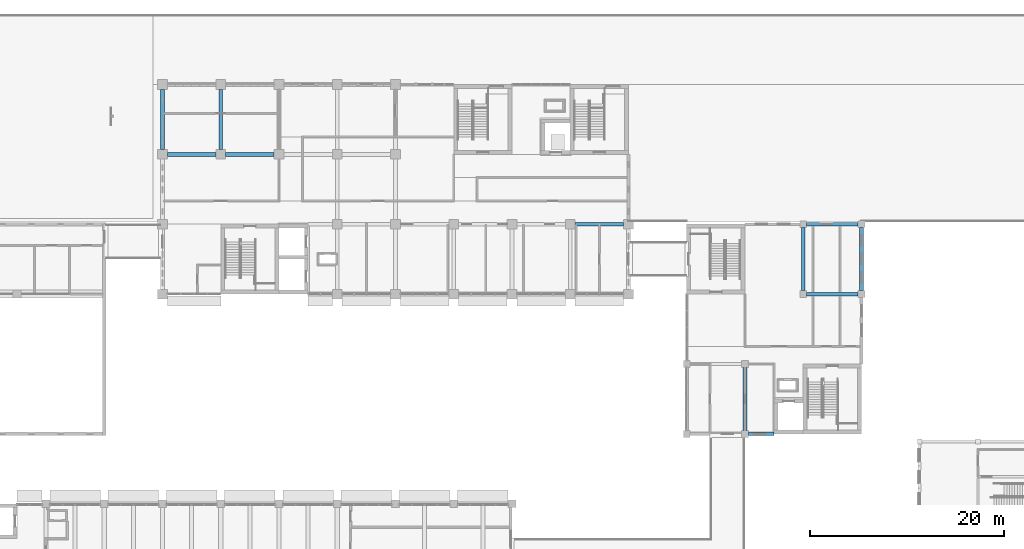
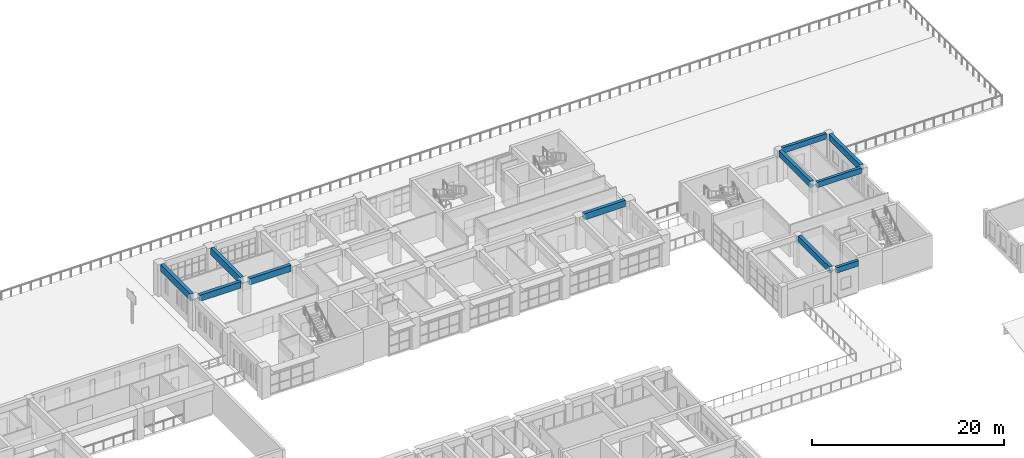
# One storey, part 52 of 101: 11 beams.
"""IFC4 building model written with IfcOpenShell, lengths in metres."""

from ifc_helpers import new_model, si_unit, direction, frame, origin, origin_2d, place, context, subcontext, project, spatial, rectangle, extrude, material, material_profile, profile_set, type_object, element, save


model = new_model("IFC4")

# Units and contexts
model_context = context("Model", 3, precision=1e-05, world=origin(), true_north=direction((0.0, 1.0)))
body_context = subcontext(model_context, "Body", "Model", "MODEL_VIEW")
ifc_project = project(units=[si_unit("LENGTHUNIT", "METRE"), si_unit("AREAUNIT", "SQUARE_METRE"), si_unit("VOLUMEUNIT", "CUBIC_METRE"), si_unit("PLANEANGLEUNIT", "RADIAN"), si_unit("MASSUNIT", "GRAM", prefix="KILO")], contexts=[model_context])

# Site, building, storey
site_placement = place(None, origin())
site = spatial("IfcSite", under=ifc_project, at=site_placement, CompositionType="ELEMENT")
building_placement = place(site_placement, origin())
building = spatial("IfcBuilding", under=site, at=building_placement, Name="Laocheng Heights Fire and Rescue Headquarters", CompositionType="ELEMENT")
storey_placement = place(building_placement, frame((0.0, 0.0, 8.39990234375)))
storey = spatial("IfcBuildingStorey", under=building, at=storey_placement, Name="L02", CompositionType="ELEMENT", Elevation=8.39990234375)

# Beams
ifc_material_1 = material(Name="Concrete C40", Category="concrete")
ifc_material_profile_1 = material_profile(ifc_material_1, rectangle(XDim=0.35009765625, YDim=0.699951171875, at=origin_2d()), Name="RC BEAM 350x700 CREW")
ifc_profile_set_1 = profile_set([ifc_material_profile_1], Name="Concrete C40")
beam_type_1 = type_object("IfcBeamType", Name="RC BEAM 350x700 CREW", PredefinedType="BEAM", material=ifc_profile_set_1)
beam_placement = place(storey_placement, frame((96.35009765625, 36.0, 3.650146484375), z_axis=(1.0, 0.0, 0.0), x_axis=(0.0, 1.0, 0.0)))
element("IfcBeam", 1, at=beam_placement, inside=storey, type_object=beam_type_1, Name="Crew beam L02", PredefinedType="BEAM", context=body_context, shape_type="SweptSolid", body=[
    extrude(rectangle(XDim=0.35009765625, YDim=0.699951171875, at=origin_2d()), origin(), (0.0, 0.0, 1.0), 2.64990234375),
])
for number, where, z_axis, x_axis, name in (
    (2, (102.35009765625, 50.39990234375, 3.650146484375), (1.0, 0.0, 0.0), (0.0, 1.0, 0.0), "Crew beam L02"),
    (3, (102.35009765625, 57.60009765625, 3.650146484375), (1.0, 0.0, 0.0), (0.0, 1.0, 0.0), "Crew beam L02"),
):
    element("IfcBeam", number, at=place(storey_placement, frame(where, z_axis=z_axis, x_axis=x_axis)), inside=storey, type_object=beam_type_1, Name=name, PredefinedType="BEAM", context=body_context, shape_type="SweptSolid", body=[
        extrude(rectangle(XDim=0.35009765625, YDim=0.699951171875, at=origin_2d()), origin(), (0.0, 0.0, 1.0), 5.2998046875),
    ])
ifc_material_2 = material(Name="Concrete C40", Category="concrete")
ifc_material_profile_2 = material_profile(ifc_material_2, rectangle(XDim=0.39990234375, YDim=0.800048828125, at=origin_2d()), Name="RC BEAM 400x800 CREW")
ifc_profile_set_2 = profile_set([ifc_material_profile_2], Name="Concrete C40")
beam_type_2 = type_object("IfcBeamType", Name="RC BEAM 400x800 CREW", PredefinedType="BEAM", material=ifc_profile_set_2)
for number, where, z_axis, x_axis, name in (
    (4, (96.0, 36.35009765625, 3.60009765625), (0.0, 1.0, 0.0), (-1.0, 0.0, 0.0), "Crew beam L02"),
    (5, (102.0, 50.75, 3.60009765625), (0.0, 1.0, 0.0), (-1.0, 0.0, 0.0), "Crew beam L02"),
    (6, (108.0, 50.75, 3.60009765625), (0.0, 1.0, 0.0), (-1.0, 0.0, 0.0), "Crew beam L02"),
):
    element("IfcBeam", number, at=place(storey_placement, frame(where, z_axis=z_axis, x_axis=x_axis)), inside=storey, type_object=beam_type_2, Name=name, PredefinedType="BEAM", context=body_context, shape_type="SweptSolid", body=[
        extrude(rectangle(XDim=0.39990234375, YDim=0.800048828125, at=origin_2d()), origin(), (0.0, 0.0, 1.0), 6.5),
    ])
ifc_material_3 = material(Name="Concrete C40", Category="concrete")
ifc_material_profile_3 = material_profile(ifc_material_3, rectangle(XDim=0.39990234375, YDim=0.800048828125, at=origin_2d()), Name="RC BEAM 400x800 HQ")
ifc_profile_set_3 = profile_set([ifc_material_profile_3], Name="Concrete C40")
beam_type_3 = type_object("IfcBeamType", Name="RC BEAM 400x800 HQ", PredefinedType="BEAM", material=ifc_profile_set_3)
for number, where, z_axis, x_axis, name in (
    (7, (78.5, 57.60009765625, 3.60009765625), (1.0, 0.0, 0.0), (0.0, 1.0, 0.0), "HQ beam L02"),
    (8, (36.5, 64.800048828125, 3.60009765625), (1.0, 0.0, 0.0), (0.0, 1.0, 0.0), "HQ beam L02"),
    (9, (42.5, 64.800048828125, 3.60009765625), (1.0, 0.0, 0.0), (0.0, 1.0, 0.0), "HQ beam L02"),
):
    element("IfcBeam", number, at=place(storey_placement, frame(where, z_axis=z_axis, x_axis=x_axis)), inside=storey, type_object=beam_type_3, Name=name, PredefinedType="BEAM", context=body_context, shape_type="SweptSolid", body=[
        extrude(rectangle(XDim=0.39990234375, YDim=0.800048828125, at=origin_2d()), origin(), (0.0, 0.0, 1.0), 5.0),
    ])
ifc_material_4 = material(Name="Concrete C40", Category="concrete")
ifc_material_profile_4 = material_profile(ifc_material_4, rectangle(XDim=0.39990234375, YDim=0.89990234375, at=origin_2d()), Name="RC BEAM 400x900 HQ")
ifc_profile_set_4 = profile_set([ifc_material_profile_4], Name="Concrete C40")
beam_type_4 = type_object("IfcBeamType", Name="RC BEAM 400x900 HQ", PredefinedType="BEAM", material=ifc_profile_set_4)
for number, where, z_axis, x_axis, name in (
    (10, (36.0, 65.300048828125, 3.550048828125), (0.0, 1.0, 0.0), (-1.0, 0.0, 0.0), "HQ beam L02"),
    (11, (42.0, 65.300048828125, 3.550048828125), (0.0, 1.0, 0.0), (-1.0, 0.0, 0.0), "HQ beam L02"),
):
    element("IfcBeam", number, at=place(storey_placement, frame(where, z_axis=z_axis, x_axis=x_axis)), inside=storey, type_object=beam_type_4, Name=name, PredefinedType="BEAM", context=body_context, shape_type="SweptSolid", body=[
        extrude(rectangle(XDim=0.39990234375, YDim=0.89990234375, at=origin_2d()), origin(), (0.0, 0.0, 1.0), 6.199951171875),
    ])

save(model, "model.ifc")
